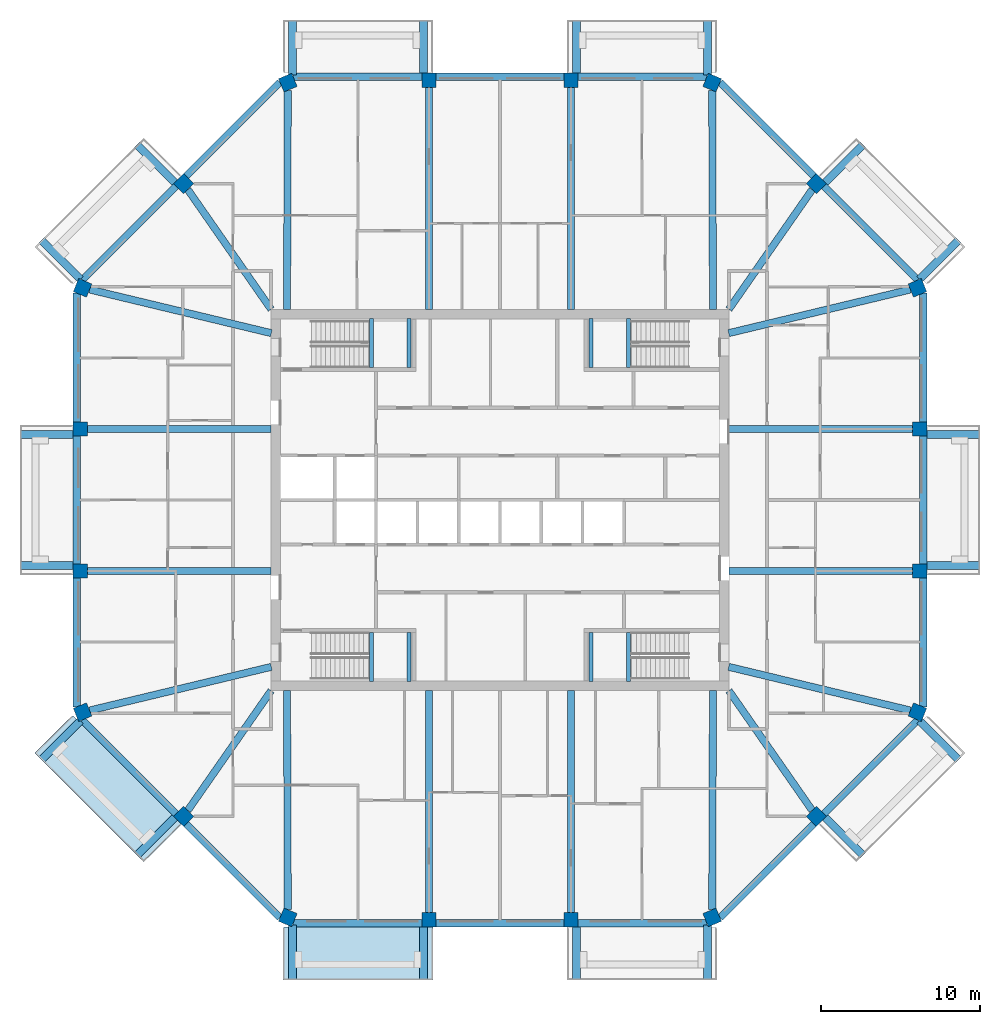
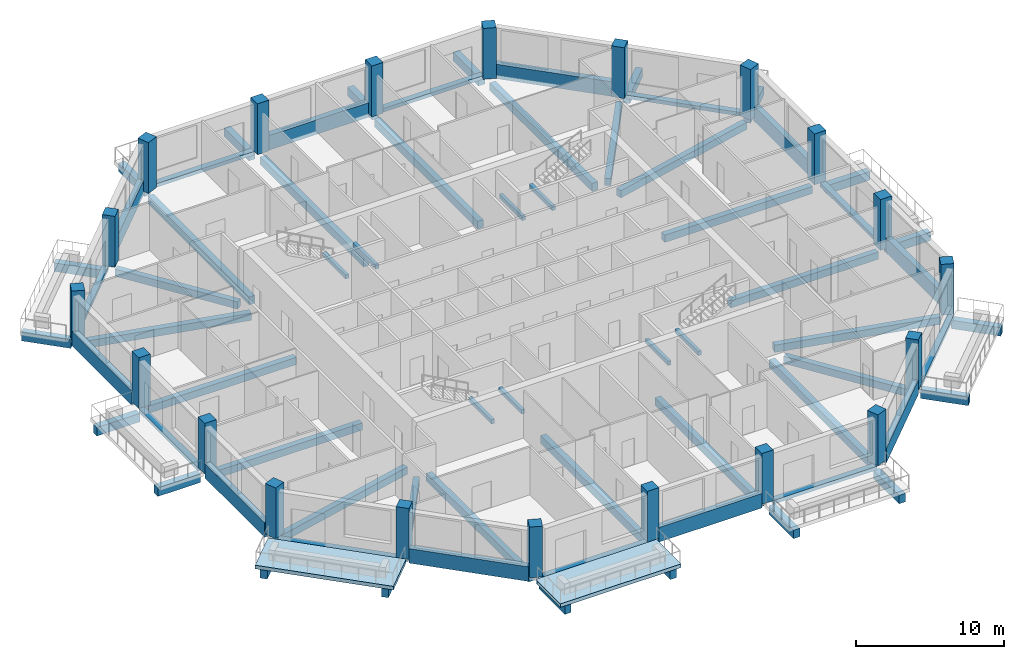
# One storey, part 1 of 12: 68 beams, 20 columns, 2 slabs.
"""IFC4 building model written with IfcOpenShell, lengths in metres."""

from ifc_helpers import new_model, si_unit, direction, frame, origin, origin_2d, place, context, subcontext, project, spatial, polyline, rectangle, outline, extrude, material, layer, layer_set, material_profile, profile_set, type_object, element, save


model = new_model("IFC4")

# Units and contexts
model_context = context("Model", 3, precision=1e-05, world=origin(), true_north=direction((0.0, 1.0)))
body_context = subcontext(model_context, "Body", "Model", "MODEL_VIEW")
ifc_project = project(units=[si_unit("LENGTHUNIT", "METRE"), si_unit("AREAUNIT", "SQUARE_METRE"), si_unit("VOLUMEUNIT", "CUBIC_METRE"), si_unit("PLANEANGLEUNIT", "RADIAN"), si_unit("MASSUNIT", "GRAM", prefix="KILO")], contexts=[model_context])

# Site, building, storey
site_placement = place(None, origin())
site = spatial("IfcSite", under=ifc_project, at=site_placement, CompositionType="ELEMENT")
building_placement = place(site_placement, origin())
building = spatial("IfcBuilding", under=site, at=building_placement, Name="Msitu Wima Residences", CompositionType="ELEMENT")
storey_placement = place(building_placement, frame((0.0, 0.0, 255.89990234375)))
storey = spatial("IfcBuildingStorey", under=building, at=storey_placement, Name="L59", CompositionType="ELEMENT", Elevation=255.89990234375)

# Columns
ifc_material_1 = material(Name="Concrete C50/60", Category="concrete")
ifc_material_profile_1 = material_profile(ifc_material_1, rectangle(XDim=0.89990234375, YDim=0.89990234375, at=origin_2d()), Name="RC 900x900")
ifc_profile_set_1 = profile_set([ifc_material_profile_1], Name="Concrete C50/60")
column_type = type_object("IfcColumnType", Name="Column RC 900x900 Concrete C50/60", PredefinedType="COLUMN", material=ifc_profile_set_1)
for number, where, z_axis, x_axis, name in (
    (1, (26.261962890625, -13.3486328125, 0.0), (0.0, 0.0, 1.0), (0.382683496864, 0.923879505795, 0.0), "Column L59 C-E0"),
    (2, (26.39990234375, -4.46875, 0.0), (0.0, 0.0, 1.0), (0.0, 1.0, 0.0), "Column L59 C-E1"),
    (3, (26.39990234375, 4.46875, 0.0), (0.0, 0.0, 1.0), (0.0, 1.0, 0.0), "Column L59 C-E2"),
    (4, (26.261962890625, 13.3486328125, 0.0), (0.0, 0.0, 1.0), (-0.382683496864, 0.923879505795, 0.0), "Column L59 C-NE0"),
    (5, (19.90283203125, 19.90283203125, 0.0), (0.0, 0.0, 1.0), (-0.707106781187, 0.707106781187, 0.0), "Column L59 C-NE1"),
    (6, (13.3486328125, 26.261962890625, 0.0), (0.0, 0.0, 1.0), (-0.923879505795, 0.382683496864, 0.0), "Column L59 C-N0"),
    (7, (4.46875, 26.39990234375, 0.0), (0.0, 0.0, 1.0), (-1.0, 0.0, 0.0), "Column L59 C-N1"),
    (8, (-4.46875, 26.39990234375, 0.0), (0.0, 0.0, 1.0), (-1.0, 0.0, 0.0), "Column L59 C-N2"),
    (9, (-13.3486328125, 26.261962890625, 0.0), (0.0, 0.0, 1.0), (-0.923879505795, -0.382683496864, 0.0), "Column L59 C-NW0"),
    (10, (-19.90283203125, 19.90283203125, 0.0), (0.0, 0.0, 1.0), (-0.707106781187, -0.707106781187, 0.0), "Column L59 C-NW1"),
    (11, (-26.261962890625, 13.3486328125, 0.0), (0.0, 0.0, 1.0), (-0.382683496864, -0.923879505795, 0.0), "Column L59 C-W0"),
    (12, (-26.39990234375, 4.46875, 0.0), (0.0, 0.0, 1.0), (0.0, -1.0, 0.0), "Column L59 C-W1"),
    (13, (-26.39990234375, -4.46875, 0.0), (0.0, 0.0, 1.0), (0.0, -1.0, 0.0), "Column L59 C-W2"),
    (14, (-26.261962890625, -13.3486328125, 0.0), (0.0, 0.0, 1.0), (0.382683496864, -0.923879505795, 0.0), "Column L59 C-SW0"),
    (15, (-19.90283203125, -19.90283203125, 0.0), (0.0, 0.0, 1.0), (0.707106781187, -0.707106781187, 0.0), "Column L59 C-SW1"),
    (16, (-13.3486328125, -26.261962890625, 0.0), (0.0, 0.0, 1.0), (0.923879505795, -0.382683496864, 0.0), "Column L59 C-S0"),
    (17, (-4.46875, -26.39990234375, 0.0), (0.0, 0.0, 1.0), (1.0, 0.0, 0.0), "Column L59 C-S1"),
    (18, (4.46875, -26.39990234375, 0.0), (0.0, 0.0, 1.0), (1.0, 0.0, 0.0), "Column L59 C-S2"),
    (19, (13.3486328125, -26.261962890625, 0.0), (0.0, 0.0, 1.0), (0.923879505795, 0.382683496864, 0.0), "Column L59 C-SE0"),
    (20, (19.90283203125, -19.90283203125, 0.0), (0.0, 0.0, 1.0), (0.707106781187, 0.707106781187, 0.0), "Column L59 C-SE1"),
):
    element("IfcColumn", number, at=place(storey_placement, frame(where, z_axis=z_axis, x_axis=x_axis)), inside=storey, type_object=column_type, Name=name, PredefinedType="COLUMN", context=body_context, shape_type="SweptSolid", body=[
        extrude(rectangle(XDim=0.89990234375, YDim=0.89990234375, at=origin_2d()), origin(), (0.0, 0.0, 1.0), 4.2001953125),
    ])

# Beams
ifc_material_profile_2 = material_profile(ifc_material_1, rectangle(XDim=0.449951171875, YDim=0.60009765625, at=origin_2d()), Name="RC 450x600")
ifc_profile_set_2 = profile_set([ifc_material_profile_2], Name="Concrete C50/60")
beam_type_1 = type_object("IfcBeamType", Name="Beam RC 450x600 Concrete C50/60", PredefinedType="BEAM", material=ifc_profile_set_2)
beam_1_placement = place(storey_placement, frame((25.819091796875, -13.242431640625, -0.5498046875), z_axis=(-0.972353359268, 0.233514335148, 0.0), x_axis=(-0.233514335148, -0.972353359268, 0.0)))
element("IfcBeam", 21, at=beam_1_placement, inside=storey, type_object=beam_type_1, Name="Beam L59 C-E0", PredefinedType="BEAM", context=body_context, shape_type="SweptSolid", body=[
    extrude(rectangle(XDim=0.449951171875, YDim=0.60009765625, at=origin_2d()), origin(), (0.0, 0.0, 1.0), 11.755615234375),
])
for number, where, z_axis, x_axis, name in (
    (22, (25.949951171875, -4.46875, -0.5498046875), (-1.0, 0.0, 0.0), (0.0, -1.0, 0.0), "Beam L59 C-E1"),
    (23, (25.949951171875, 4.46875, -0.5498046875), (-1.0, 0.0, 0.0), (0.0, -1.0, 0.0), "Beam L59 C-E2"),
):
    element("IfcBeam", number, at=place(storey_placement, frame(where, z_axis=z_axis, x_axis=x_axis)), inside=storey, type_object=beam_type_1, Name=name, PredefinedType="BEAM", context=body_context, shape_type="SweptSolid", body=[
        extrude(rectangle(XDim=0.449951171875, YDim=0.60009765625, at=origin_2d()), origin(), (0.0, 0.0, 1.0), 11.550048828125),
    ])
beam_2_placement = place(storey_placement, frame((25.819091796875, 13.242431640625, -0.5498046875), z_axis=(-0.972353359268, -0.233514335148, 0.0), x_axis=(0.233514335148, -0.972353359268, 0.0)))
element("IfcBeam", 24, at=beam_2_placement, inside=storey, type_object=beam_type_1, Name="Beam L59 C-NE0", PredefinedType="BEAM", context=body_context, shape_type="SweptSolid", body=[
    extrude(rectangle(XDim=0.449951171875, YDim=0.60009765625, at=origin_2d()), origin(), (0.0, 0.0, 1.0), 11.755615234375),
])
for number, where, z_axis, x_axis, name in (
    (25, (19.6416015625, 19.52783203125, -0.5498046875), (-0.571427822633, -0.820652328042, 0.0), (0.820652328042, -0.571427822633, 0.0), "Beam L59 C-NE1"),
    (26, (-19.6416015625, 19.52783203125, -0.5498046875), (0.571427822633, -0.820652328042, 0.0), (0.820652328042, 0.571427822633, 0.0), "Beam L59 C-NW1"),
):
    element("IfcBeam", number, at=place(storey_placement, frame(where, z_axis=z_axis, x_axis=x_axis)), inside=storey, type_object=beam_type_1, Name=name, PredefinedType="BEAM", context=body_context, shape_type="SweptSolid", body=[
        extrude(rectangle(XDim=0.449951171875, YDim=0.60009765625, at=origin_2d()), origin(), (0.0, 0.0, 1.0), 9.173095703125),
    ])
beam_3_placement = place(storey_placement, frame((-25.819091796875, 13.242431640625, -0.5498046875), z_axis=(0.972353359268, -0.233514335148, 0.0), x_axis=(0.233514335148, 0.972353359268, 0.0)))
element("IfcBeam", 27, at=beam_3_placement, inside=storey, type_object=beam_type_1, Name="Beam L59 C-W0", PredefinedType="BEAM", context=body_context, shape_type="SweptSolid", body=[
    extrude(rectangle(XDim=0.449951171875, YDim=0.60009765625, at=origin_2d()), origin(), (0.0, 0.0, 1.0), 11.755615234375),
])
for number, where, z_axis, x_axis, name in (
    (28, (-25.949951171875, 4.46875, -0.5498046875), (1.0, 0.0, 0.0), (0.0, 1.0, 0.0), "Beam L59 C-W1"),
    (29, (-25.949951171875, -4.46875, -0.5498046875), (1.0, 0.0, 0.0), (0.0, 1.0, 0.0), "Beam L59 C-W2"),
):
    element("IfcBeam", number, at=place(storey_placement, frame(where, z_axis=z_axis, x_axis=x_axis)), inside=storey, type_object=beam_type_1, Name=name, PredefinedType="BEAM", context=body_context, shape_type="SweptSolid", body=[
        extrude(rectangle(XDim=0.449951171875, YDim=0.60009765625, at=origin_2d()), origin(), (0.0, 0.0, 1.0), 11.550048828125),
    ])
beam_4_placement = place(storey_placement, frame((-25.819091796875, -13.242431640625, -0.5498046875), z_axis=(0.972353359268, 0.233514335148, 0.0), x_axis=(-0.233514335148, 0.972353359268, 0.0)))
element("IfcBeam", 30, at=beam_4_placement, inside=storey, type_object=beam_type_1, Name="Beam L59 C-SW0", PredefinedType="BEAM", context=body_context, shape_type="SweptSolid", body=[
    extrude(rectangle(XDim=0.449951171875, YDim=0.60009765625, at=origin_2d()), origin(), (0.0, 0.0, 1.0), 11.755615234375),
])
for number, where, z_axis, x_axis, name in (
    (31, (-19.6416015625, -19.52783203125, -0.5498046875), (0.571427822633, 0.820652328042, 0.0), (-0.820652328042, 0.571427822633, 0.0), "Beam L59 C-SW1"),
    (32, (19.6416015625, -19.52783203125, -0.5498046875), (-0.571427822633, 0.820652328042, 0.0), (-0.820652328042, -0.571427822633, 0.0), "Beam L59 C-SE1"),
):
    element("IfcBeam", number, at=place(storey_placement, frame(where, z_axis=z_axis, x_axis=x_axis)), inside=storey, type_object=beam_type_1, Name=name, PredefinedType="BEAM", context=body_context, shape_type="SweptSolid", body=[
        extrude(rectangle(XDim=0.449951171875, YDim=0.60009765625, at=origin_2d()), origin(), (0.0, 0.0, 1.0), 9.173095703125),
    ])
ifc_material_profile_3 = material_profile(ifc_material_1, rectangle(XDim=0.449951171875, YDim=0.64990234375, at=origin_2d()), Name="RC 450x650")
ifc_profile_set_3 = profile_set([ifc_material_profile_3], Name="Concrete C50/60")
beam_type_2 = type_object("IfcBeamType", Name="Beam RC 450x650 Concrete C50/60", PredefinedType="BEAM", material=ifc_profile_set_3)
beam_5_placement = place(storey_placement, frame((13.3505859375, 25.774169921875, -0.574951171875), z_axis=(0.003594933206, -0.999993538207, 0.0), x_axis=(0.999993538207, 0.003594933206, 0.0)))
element("IfcBeam", 33, at=beam_5_placement, inside=storey, type_object=beam_type_2, Name="Beam L59 C-N0", PredefinedType="BEAM", context=body_context, shape_type="SweptSolid", body=[
    extrude(rectangle(XDim=0.449951171875, YDim=0.64990234375, at=origin_2d()), origin(), (0.0, 0.0, 1.0), 13.7861328125),
])
for number, where, z_axis, x_axis, name in (
    (34, (4.46875, 25.949951171875, -0.574951171875), (0.0, -1.0, 0.0), (1.0, 0.0, 0.0), "Beam L59 C-N1"),
    (35, (-4.46875, 25.949951171875, -0.574951171875), (0.0, -1.0, 0.0), (1.0, 0.0, 0.0), "Beam L59 C-N2"),
):
    element("IfcBeam", number, at=place(storey_placement, frame(where, z_axis=z_axis, x_axis=x_axis)), inside=storey, type_object=beam_type_2, Name=name, PredefinedType="BEAM", context=body_context, shape_type="SweptSolid", body=[
        extrude(rectangle(XDim=0.449951171875, YDim=0.64990234375, at=origin_2d()), origin(), (0.0, 0.0, 1.0), 13.949951171875),
    ])
for number, where, z_axis, x_axis, name in (
    (36, (-13.3505859375, 25.774169921875, -0.574951171875), (-0.003594933206, -0.999993538207, 0.0), (0.999993538207, -0.003594933206, 0.0), "Beam L59 C-NW0"),
    (37, (-13.3505859375, -25.774169921875, -0.574951171875), (-0.003594933206, 0.999993538207, 0.0), (-0.999993538207, -0.003594933206, 0.0), "Beam L59 C-S0"),
):
    element("IfcBeam", number, at=place(storey_placement, frame(where, z_axis=z_axis, x_axis=x_axis)), inside=storey, type_object=beam_type_2, Name=name, PredefinedType="BEAM", context=body_context, shape_type="SweptSolid", body=[
        extrude(rectangle(XDim=0.449951171875, YDim=0.64990234375, at=origin_2d()), origin(), (0.0, 0.0, 1.0), 13.7861328125),
    ])
for number, where, z_axis, x_axis, name in (
    (38, (-4.46875, -25.949951171875, -0.574951171875), (0.0, 1.0, 0.0), (-1.0, 0.0, 0.0), "Beam L59 C-S1"),
    (39, (4.46875, -25.949951171875, -0.574951171875), (0.0, 1.0, 0.0), (-1.0, 0.0, 0.0), "Beam L59 C-S2"),
):
    element("IfcBeam", number, at=place(storey_placement, frame(where, z_axis=z_axis, x_axis=x_axis)), inside=storey, type_object=beam_type_2, Name=name, PredefinedType="BEAM", context=body_context, shape_type="SweptSolid", body=[
        extrude(rectangle(XDim=0.449951171875, YDim=0.64990234375, at=origin_2d()), origin(), (0.0, 0.0, 1.0), 13.949951171875),
    ])
beam_6_placement = place(storey_placement, frame((13.3505859375, -25.774169921875, -0.574951171875), z_axis=(0.003594933206, 0.999993538207, 0.0), x_axis=(-0.999993538207, 0.003594933206, 0.0)))
element("IfcBeam", 40, at=beam_6_placement, inside=storey, type_object=beam_type_2, Name="Beam L59 C-SE0", PredefinedType="BEAM", context=body_context, shape_type="SweptSolid", body=[
    extrude(rectangle(XDim=0.449951171875, YDim=0.64990234375, at=origin_2d()), origin(), (0.0, 0.0, 1.0), 13.7861328125),
])
ifc_material_profile_4 = material_profile(ifc_material_1, rectangle(XDim=0.5, YDim=0.699951171875, at=origin_2d()), Name="RC 500x700")
ifc_profile_set_4 = profile_set([ifc_material_profile_4], Name="Concrete C50/60")
beam_type_3 = type_object("IfcBeamType", Name="Cantilever beam RC 500x700 Concrete C50/60", PredefinedType="BEAM", material=ifc_profile_set_4)
for number, where, z_axis, x_axis, name in (
    (41, (26.85009765625, -4.11865234375, -0.64990234375), (1.0, 0.0, 0.0), (0.0, 1.0, 0.0), "Cantilever beam L59 BA-E1 A"),
    (42, (26.85009765625, 4.11865234375, -0.64990234375), (1.0, 0.0, 0.0), (0.0, 1.0, 0.0), "Cantilever beam L59 BA-E1 B"),
):
    element("IfcBeam", number, at=place(storey_placement, frame(where, z_axis=z_axis, x_axis=x_axis)), inside=storey, type_object=beam_type_3, Name=name, PredefinedType="BEAM", context=body_context, shape_type="SweptSolid", body=[
        extrude(rectangle(XDim=0.5, YDim=0.699951171875, at=origin_2d()), origin(), (0.0, 0.0, 1.0), 3.349853515625),
    ])
beam_7_placement = place(storey_placement, frame((26.386474609375, 13.887451171875, -0.64990234375), z_axis=(0.707141968506, 0.707071592116, 0.0), x_axis=(-0.707071592116, 0.707141968506, 0.0)))
element("IfcBeam", 43, at=beam_7_placement, inside=storey, type_object=beam_type_3, Name="Cantilever beam L59 BA-NE0 A", PredefinedType="BEAM", context=body_context, shape_type="SweptSolid", body=[
    extrude(rectangle(XDim=0.5, YDim=0.699951171875, at=origin_2d()), origin(), (0.0, 0.0, 1.0), 3.468994140625),
])
beam_8_placement = place(storey_placement, frame((20.46875, 19.9736328125, -0.64990234375), z_axis=(0.707070340836, 0.707143219659, 0.0), x_axis=(-0.707143219659, 0.707070340836, 0.0)))
element("IfcBeam", 44, at=beam_8_placement, inside=storey, type_object=beam_type_3, Name="Cantilever beam L59 BA-NE0 B", PredefinedType="BEAM", context=body_context, shape_type="SweptSolid", body=[
    extrude(rectangle(XDim=0.5, YDim=0.699951171875, at=origin_2d()), origin(), (0.0, 0.0, 1.0), 3.349853515625),
])
beam_9_placement = place(storey_placement, frame((13.055908203125, 26.73095703125, -0.64990234375), z_axis=(0.0, 1.0, 0.0), x_axis=(-1.0, 0.0, 0.0)))
element("IfcBeam", 45, at=beam_9_placement, inside=storey, type_object=beam_type_3, Name="Cantilever beam L59 BA-N0 A", PredefinedType="BEAM", context=body_context, shape_type="SweptSolid", body=[
    extrude(rectangle(XDim=0.5, YDim=0.699951171875, at=origin_2d()), origin(), (0.0, 0.0, 1.0), 3.468994140625),
])
for number, where, z_axis, x_axis, name in (
    (46, (4.818603515625, 26.85009765625, -0.64990234375), (0.0, 1.0, 0.0), (-1.0, 0.0, 0.0), "Cantilever beam L59 BA-N0 B"),
    (47, (-4.818603515625, 26.85009765625, -0.64990234375), (0.0, 1.0, 0.0), (-1.0, 0.0, 0.0), "Cantilever beam L59 BA-N2 A"),
):
    element("IfcBeam", number, at=place(storey_placement, frame(where, z_axis=z_axis, x_axis=x_axis)), inside=storey, type_object=beam_type_3, Name=name, PredefinedType="BEAM", context=body_context, shape_type="SweptSolid", body=[
        extrude(rectangle(XDim=0.5, YDim=0.699951171875, at=origin_2d()), origin(), (0.0, 0.0, 1.0), 3.349853515625),
    ])
beam_10_placement = place(storey_placement, frame((-13.055908203125, 26.73095703125, -0.64990234375), z_axis=(0.0, 1.0, 0.0), x_axis=(-1.0, 0.0, 0.0)))
element("IfcBeam", 48, at=beam_10_placement, inside=storey, type_object=beam_type_3, Name="Cantilever beam L59 BA-N2 B", PredefinedType="BEAM", context=body_context, shape_type="SweptSolid", body=[
    extrude(rectangle(XDim=0.5, YDim=0.699951171875, at=origin_2d()), origin(), (0.0, 0.0, 1.0), 3.468994140625),
])
beam_11_placement = place(storey_placement, frame((-20.46875, 19.9736328125, -0.64990234375), z_axis=(-0.707070340836, 0.707143219659, 0.0), x_axis=(-0.707143219659, -0.707070340836, 0.0)))
element("IfcBeam", 49, at=beam_11_placement, inside=storey, type_object=beam_type_3, Name="Cantilever beam L59 BA-NW1 A", PredefinedType="BEAM", context=body_context, shape_type="SweptSolid", body=[
    extrude(rectangle(XDim=0.5, YDim=0.699951171875, at=origin_2d()), origin(), (0.0, 0.0, 1.0), 3.349853515625),
])
beam_12_placement = place(storey_placement, frame((-26.386474609375, 13.887451171875, -0.64990234375), z_axis=(-0.707141968506, 0.707071592116, 0.0), x_axis=(-0.707071592116, -0.707141968506, 0.0)))
element("IfcBeam", 50, at=beam_12_placement, inside=storey, type_object=beam_type_3, Name="Cantilever beam L59 BA-NW1 B", PredefinedType="BEAM", context=body_context, shape_type="SweptSolid", body=[
    extrude(rectangle(XDim=0.5, YDim=0.699951171875, at=origin_2d()), origin(), (0.0, 0.0, 1.0), 3.468994140625),
])
for number, where, z_axis, x_axis, name in (
    (51, (-26.85009765625, 4.11865234375, -0.64990234375), (-1.0, 0.0, 0.0), (0.0, -1.0, 0.0), "Cantilever beam L59 BA-W1 A"),
    (52, (-26.85009765625, -4.11865234375, -0.64990234375), (-1.0, 0.0, 0.0), (0.0, -1.0, 0.0), "Cantilever beam L59 BA-W1 B"),
):
    element("IfcBeam", number, at=place(storey_placement, frame(where, z_axis=z_axis, x_axis=x_axis)), inside=storey, type_object=beam_type_3, Name=name, PredefinedType="BEAM", context=body_context, shape_type="SweptSolid", body=[
        extrude(rectangle(XDim=0.5, YDim=0.699951171875, at=origin_2d()), origin(), (0.0, 0.0, 1.0), 3.349853515625),
    ])
beam_13_placement = place(storey_placement, frame((-26.386474609375, -13.887451171875, -0.64990234375), z_axis=(-0.707141968506, -0.707071592116, 0.0), x_axis=(0.707071592116, -0.707141968506, 0.0)))
element("IfcBeam", 53, at=beam_13_placement, inside=storey, type_object=beam_type_3, Name="Cantilever beam L59 BA-SW0 A", PredefinedType="BEAM", context=body_context, shape_type="SweptSolid", body=[
    extrude(rectangle(XDim=0.5, YDim=0.699951171875, at=origin_2d()), origin(), (0.0, 0.0, 1.0), 3.468994140625),
])
beam_14_placement = place(storey_placement, frame((-20.46875, -19.9736328125, -0.64990234375), z_axis=(-0.707070340836, -0.707143219659, 0.0), x_axis=(0.707143219659, -0.707070340836, 0.0)))
element("IfcBeam", 54, at=beam_14_placement, inside=storey, type_object=beam_type_3, Name="Cantilever beam L59 BA-SW0 B", PredefinedType="BEAM", context=body_context, shape_type="SweptSolid", body=[
    extrude(rectangle(XDim=0.5, YDim=0.699951171875, at=origin_2d()), origin(), (0.0, 0.0, 1.0), 3.349853515625),
])
beam_15_placement = place(storey_placement, frame((-13.055908203125, -26.73095703125, -0.64990234375), z_axis=(0.0, -1.0, 0.0), x_axis=(1.0, 0.0, 0.0)))
element("IfcBeam", 55, at=beam_15_placement, inside=storey, type_object=beam_type_3, Name="Cantilever beam L59 BA-S0 A", PredefinedType="BEAM", context=body_context, shape_type="SweptSolid", body=[
    extrude(rectangle(XDim=0.5, YDim=0.699951171875, at=origin_2d()), origin(), (0.0, 0.0, 1.0), 3.468994140625),
])
for number, where, z_axis, x_axis, name in (
    (56, (-4.818603515625, -26.85009765625, -0.64990234375), (0.0, -1.0, 0.0), (1.0, 0.0, 0.0), "Cantilever beam L59 BA-S0 B"),
    (57, (4.818603515625, -26.85009765625, -0.64990234375), (0.0, -1.0, 0.0), (1.0, 0.0, 0.0), "Cantilever beam L59 BA-S2 A"),
):
    element("IfcBeam", number, at=place(storey_placement, frame(where, z_axis=z_axis, x_axis=x_axis)), inside=storey, type_object=beam_type_3, Name=name, PredefinedType="BEAM", context=body_context, shape_type="SweptSolid", body=[
        extrude(rectangle(XDim=0.5, YDim=0.699951171875, at=origin_2d()), origin(), (0.0, 0.0, 1.0), 3.349853515625),
    ])
beam_16_placement = place(storey_placement, frame((13.055908203125, -26.73095703125, -0.64990234375), z_axis=(0.0, -1.0, 0.0), x_axis=(1.0, 0.0, 0.0)))
element("IfcBeam", 58, at=beam_16_placement, inside=storey, type_object=beam_type_3, Name="Cantilever beam L59 BA-S2 B", PredefinedType="BEAM", context=body_context, shape_type="SweptSolid", body=[
    extrude(rectangle(XDim=0.5, YDim=0.699951171875, at=origin_2d()), origin(), (0.0, 0.0, 1.0), 3.468994140625),
])
beam_17_placement = place(storey_placement, frame((20.46875, -19.9736328125, -0.64990234375), z_axis=(0.707070340836, -0.707143219659, 0.0), x_axis=(0.707143219659, 0.707070340836, 0.0)))
element("IfcBeam", 59, at=beam_17_placement, inside=storey, type_object=beam_type_3, Name="Cantilever beam L59 BA-SE1 A", PredefinedType="BEAM", context=body_context, shape_type="SweptSolid", body=[
    extrude(rectangle(XDim=0.5, YDim=0.699951171875, at=origin_2d()), origin(), (0.0, 0.0, 1.0), 3.349853515625),
])
beam_18_placement = place(storey_placement, frame((26.386474609375, -13.887451171875, -0.64990234375), z_axis=(0.707141968506, -0.707071592116, 0.0), x_axis=(0.707071592116, 0.707141968506, 0.0)))
element("IfcBeam", 60, at=beam_18_placement, inside=storey, type_object=beam_type_3, Name="Cantilever beam L59 BA-SE1 B", PredefinedType="BEAM", context=body_context, shape_type="SweptSolid", body=[
    extrude(rectangle(XDim=0.5, YDim=0.699951171875, at=origin_2d()), origin(), (0.0, 0.0, 1.0), 3.468994140625),
])
ifc_material_profile_5 = material_profile(ifc_material_1, rectangle(XDim=0.449951171875, YDim=0.300048828125, at=origin_2d()), Name="RC 450x300")
ifc_profile_set_5 = profile_set([ifc_material_profile_5], Name="Concrete C50/60")
beam_type_4 = type_object("IfcBeamType", Name="Edge beam RC 450x300 Concrete C50/60", PredefinedType="SPANDREL", material=ifc_profile_set_5)
beam_19_placement = place(storey_placement, frame((26.625, -4.0185546875, -0.14990234375), z_axis=(0.0, 1.0, 0.0), x_axis=(-1.0, 0.0, 0.0)))
element("IfcBeam", 61, at=beam_19_placement, inside=storey, type_object=beam_type_4, Name="Spandrel L59 E1", PredefinedType="SPANDREL", context=body_context, shape_type="SweptSolid", body=[
    extrude(rectangle(XDim=0.449951171875, YDim=0.300048828125, at=origin_2d()), origin(), (0.0, 0.0, 1.0), 8.037109375),
])
beam_20_placement = place(storey_placement, frame((26.2890625, 13.8349609375, -0.14990234375), z_axis=(-0.707106781187, 0.707106781187, 0.0), x_axis=(-0.707106781187, -0.707106781187, 0.0)))
element("IfcBeam", 62, at=beam_20_placement, inside=storey, type_object=beam_type_4, Name="Spandrel L59 NE0", PredefinedType="SPANDREL", context=body_context, shape_type="SweptSolid", body=[
    extrude(rectangle(XDim=0.449951171875, YDim=0.300048828125, at=origin_2d()), origin(), (0.0, 0.0, 1.0), 8.3564453125),
])
for number, where, z_axis, x_axis, name in (
    (63, (13.02392578125, 26.625, -0.14990234375), (-1.0, 0.0, 0.0), (0.0, -1.0, 0.0), "Spandrel L59 N0"),
    (64, (-4.918701171875, 26.625, -0.14990234375), (-1.0, 0.0, 0.0), (0.0, -1.0, 0.0), "Spandrel L59 N2"),
):
    element("IfcBeam", number, at=place(storey_placement, frame(where, z_axis=z_axis, x_axis=x_axis)), inside=storey, type_object=beam_type_4, Name=name, PredefinedType="SPANDREL", context=body_context, shape_type="SweptSolid", body=[
        extrude(rectangle(XDim=0.449951171875, YDim=0.300048828125, at=origin_2d()), origin(), (0.0, 0.0, 1.0), 8.105224609375),
    ])
beam_21_placement = place(storey_placement, frame((-20.380126953125, 19.743896484375, -0.14990234375), z_axis=(-0.707106781187, -0.707106781187, 0.0), x_axis=(0.707106781187, -0.707106781187, 0.0)))
element("IfcBeam", 65, at=beam_21_placement, inside=storey, type_object=beam_type_4, Name="Spandrel L59 NW1", PredefinedType="SPANDREL", context=body_context, shape_type="SweptSolid", body=[
    extrude(rectangle(XDim=0.449951171875, YDim=0.300048828125, at=origin_2d()), origin(), (0.0, 0.0, 1.0), 8.3564453125),
])
beam_22_placement = place(storey_placement, frame((-26.625, 4.0185546875, -0.14990234375), z_axis=(0.0, -1.0, 0.0), x_axis=(1.0, 0.0, 0.0)))
element("IfcBeam", 66, at=beam_22_placement, inside=storey, type_object=beam_type_4, Name="Spandrel L59 W1", PredefinedType="SPANDREL", context=body_context, shape_type="SweptSolid", body=[
    extrude(rectangle(XDim=0.449951171875, YDim=0.300048828125, at=origin_2d()), origin(), (0.0, 0.0, 1.0), 8.037109375),
])
beam_23_placement = place(storey_placement, frame((-26.2890625, -13.8349609375, -0.14990234375), z_axis=(0.707106781187, -0.707106781187, 0.0), x_axis=(0.707106781187, 0.707106781187, 0.0)))
element("IfcBeam", 67, at=beam_23_placement, inside=storey, type_object=beam_type_4, Name="Spandrel L59 SW0", PredefinedType="SPANDREL", context=body_context, shape_type="SweptSolid", body=[
    extrude(rectangle(XDim=0.449951171875, YDim=0.300048828125, at=origin_2d()), origin(), (0.0, 0.0, 1.0), 8.3564453125),
])
for number, where, z_axis, x_axis, name in (
    (68, (-13.02392578125, -26.625, -0.14990234375), (1.0, 0.0, 0.0), (0.0, 1.0, 0.0), "Spandrel L59 S0"),
    (69, (4.918701171875, -26.625, -0.14990234375), (1.0, 0.0, 0.0), (0.0, 1.0, 0.0), "Spandrel L59 S2"),
):
    element("IfcBeam", number, at=place(storey_placement, frame(where, z_axis=z_axis, x_axis=x_axis)), inside=storey, type_object=beam_type_4, Name=name, PredefinedType="SPANDREL", context=body_context, shape_type="SweptSolid", body=[
        extrude(rectangle(XDim=0.449951171875, YDim=0.300048828125, at=origin_2d()), origin(), (0.0, 0.0, 1.0), 8.105224609375),
    ])
beam_24_placement = place(storey_placement, frame((20.380126953125, -19.743896484375, -0.14990234375), z_axis=(0.707106781187, 0.707106781187, 0.0), x_axis=(-0.707106781187, 0.707106781187, 0.0)))
element("IfcBeam", 70, at=beam_24_placement, inside=storey, type_object=beam_type_4, Name="Spandrel L59 SE1", PredefinedType="SPANDREL", context=body_context, shape_type="SweptSolid", body=[
    extrude(rectangle(XDim=0.449951171875, YDim=0.300048828125, at=origin_2d()), origin(), (0.0, 0.0, 1.0), 8.3564453125),
])
ifc_material_2 = material(Name="Concrete C40/50", Category="concrete")
ifc_material_profile_6 = material_profile(ifc_material_2, rectangle(XDim=0.25, YDim=0.35009765625, at=origin_2d()), Name="RC 250x350")
ifc_profile_set_6 = profile_set([ifc_material_profile_6], Name="Concrete C40/50")
beam_type_5 = type_object("IfcBeamType", Name="Landing beam RC 250x350", PredefinedType="BEAM", material=ifc_profile_set_6)
for number, where, z_axis, x_axis, name in (
    (71, (-8.074951171875, 8.324951171875, 1.72509765625), (0.0, 1.0, 0.0), (-1.0, 0.0, 0.0), "Stair 1 landing beam"),
    (72, (-5.72509765625, 8.324951171875, 1.72509765625), (0.0, 1.0, 0.0), (-1.0, 0.0, 0.0), "Stair 1 landing beam"),
    (73, (-8.074951171875, -11.425048828125, 1.72509765625), (0.0, 1.0, 0.0), (-1.0, 0.0, 0.0), "Stair 2 landing beam"),
    (74, (-5.72509765625, -11.425048828125, 1.72509765625), (0.0, 1.0, 0.0), (-1.0, 0.0, 0.0), "Stair 2 landing beam"),
    (75, (8.074951171875, 8.324951171875, 1.72509765625), (0.0, 1.0, 0.0), (-1.0, 0.0, 0.0), "Stair 3 landing beam"),
    (76, (5.72509765625, 8.324951171875, 1.72509765625), (0.0, 1.0, 0.0), (-1.0, 0.0, 0.0), "Stair 3 landing beam"),
    (77, (8.074951171875, -11.425048828125, 1.72509765625), (0.0, 1.0, 0.0), (-1.0, 0.0, 0.0), "Stair 4 landing beam"),
    (78, (5.72509765625, -11.425048828125, 1.72509765625), (0.0, 1.0, 0.0), (-1.0, 0.0, 0.0), "Stair 4 landing beam"),
):
    element("IfcBeam", number, at=place(storey_placement, frame(where, z_axis=z_axis, x_axis=x_axis)), inside=storey, type_object=beam_type_5, Name=name, PredefinedType="BEAM", context=body_context, shape_type="SweptSolid", body=[
        extrude(rectangle(XDim=0.25, YDim=0.35009765625, at=origin_2d()), origin(), (0.0, 0.0, 1.0), 3.10009765625),
    ])
ifc_material_profile_7 = material_profile(ifc_material_1, rectangle(XDim=0.449951171875, YDim=1.199951171875, at=origin_2d()), Name="RC 450x1200")
ifc_profile_set_7 = profile_set([ifc_material_profile_7], Name="Concrete C50/60")
beam_type_6 = type_object("IfcBeamType", Name="Spandrel RC 450x1200 Concrete C50/60", PredefinedType="SPANDREL", material=ifc_profile_set_7)
for number, where, z_axis, x_axis, name in (
    (79, (26.625, -13.02392578125, 0.300048828125), (0.0, 1.0, 0.0), (-1.0, 0.0, 0.0), "Spandrel L59 E0"),
    (80, (26.625, 4.918701171875, 0.300048828125), (0.0, 1.0, 0.0), (-1.0, 0.0, 0.0), "Spandrel L59 E2"),
):
    element("IfcBeam", number, at=place(storey_placement, frame(where, z_axis=z_axis, x_axis=x_axis)), inside=storey, type_object=beam_type_6, Name=name, PredefinedType="SPANDREL", context=body_context, shape_type="SweptSolid", body=[
        extrude(rectangle(XDim=0.449951171875, YDim=1.199951171875, at=origin_2d()), origin(), (0.0, 0.0, 1.0), 8.105224609375),
    ])
beam_25_placement = place(storey_placement, frame((19.743896484375, 20.380126953125, 0.300048828125), z_axis=(-0.707106781187, 0.707106781187, 0.0), x_axis=(-0.707106781187, -0.707106781187, 0.0)))
element("IfcBeam", 81, at=beam_25_placement, inside=storey, type_object=beam_type_6, Name="Spandrel L59 NE1", PredefinedType="SPANDREL", context=body_context, shape_type="SweptSolid", body=[
    extrude(rectangle(XDim=0.449951171875, YDim=1.199951171875, at=origin_2d()), origin(), (0.0, 0.0, 1.0), 8.3564453125),
])
beam_26_placement = place(storey_placement, frame((4.0185546875, 26.625, 0.300048828125), z_axis=(-1.0, 0.0, 0.0), x_axis=(0.0, -1.0, 0.0)))
element("IfcBeam", 82, at=beam_26_placement, inside=storey, type_object=beam_type_6, Name="Spandrel L59 N1", PredefinedType="SPANDREL", context=body_context, shape_type="SweptSolid", body=[
    extrude(rectangle(XDim=0.449951171875, YDim=1.199951171875, at=origin_2d()), origin(), (0.0, 0.0, 1.0), 8.037109375),
])
beam_27_placement = place(storey_placement, frame((-13.8349609375, 26.2890625, 0.300048828125), z_axis=(-0.707106781187, -0.707106781187, 0.0), x_axis=(0.707106781187, -0.707106781187, 0.0)))
element("IfcBeam", 83, at=beam_27_placement, inside=storey, type_object=beam_type_6, Name="Spandrel L59 NW0", PredefinedType="SPANDREL", context=body_context, shape_type="SweptSolid", body=[
    extrude(rectangle(XDim=0.449951171875, YDim=1.199951171875, at=origin_2d()), origin(), (0.0, 0.0, 1.0), 8.3564453125),
])
for number, where, z_axis, x_axis, name in (
    (84, (-26.625, 13.02392578125, 0.300048828125), (0.0, -1.0, 0.0), (1.0, 0.0, 0.0), "Spandrel L59 W0"),
    (85, (-26.625, -4.918701171875, 0.300048828125), (0.0, -1.0, 0.0), (1.0, 0.0, 0.0), "Spandrel L59 W2"),
):
    element("IfcBeam", number, at=place(storey_placement, frame(where, z_axis=z_axis, x_axis=x_axis)), inside=storey, type_object=beam_type_6, Name=name, PredefinedType="SPANDREL", context=body_context, shape_type="SweptSolid", body=[
        extrude(rectangle(XDim=0.449951171875, YDim=1.199951171875, at=origin_2d()), origin(), (0.0, 0.0, 1.0), 8.105224609375),
    ])
beam_28_placement = place(storey_placement, frame((-19.743896484375, -20.380126953125, 0.300048828125), z_axis=(0.707106781187, -0.707106781187, 0.0), x_axis=(0.707106781187, 0.707106781187, 0.0)))
element("IfcBeam", 86, at=beam_28_placement, inside=storey, type_object=beam_type_6, Name="Spandrel L59 SW1", PredefinedType="SPANDREL", context=body_context, shape_type="SweptSolid", body=[
    extrude(rectangle(XDim=0.449951171875, YDim=1.199951171875, at=origin_2d()), origin(), (0.0, 0.0, 1.0), 8.3564453125),
])
beam_29_placement = place(storey_placement, frame((-4.0185546875, -26.625, 0.300048828125), z_axis=(1.0, 0.0, 0.0), x_axis=(0.0, 1.0, 0.0)))
element("IfcBeam", 87, at=beam_29_placement, inside=storey, type_object=beam_type_6, Name="Spandrel L59 S1", PredefinedType="SPANDREL", context=body_context, shape_type="SweptSolid", body=[
    extrude(rectangle(XDim=0.449951171875, YDim=1.199951171875, at=origin_2d()), origin(), (0.0, 0.0, 1.0), 8.037109375),
])
beam_30_placement = place(storey_placement, frame((13.8349609375, -26.2890625, 0.300048828125), z_axis=(0.707106781187, 0.707106781187, 0.0), x_axis=(-0.707106781187, 0.707106781187, 0.0)))
element("IfcBeam", 88, at=beam_30_placement, inside=storey, type_object=beam_type_6, Name="Spandrel L59 SE0", PredefinedType="SPANDREL", context=body_context, shape_type="SweptSolid", body=[
    extrude(rectangle(XDim=0.449951171875, YDim=1.199951171875, at=origin_2d()), origin(), (0.0, 0.0, 1.0), 8.3564453125),
])

# Slabs
ifc_layer = layer(ifc_material_2, 0.300048828125)
ifc_layer_set = layer_set([ifc_layer], Name="Concrete C40/50")
slab_type = type_object("IfcSlabType", Name="Balcony slab BS300", PredefinedType="FLOOR", material=ifc_layer_set)
slab_1_placement = place(storey_placement, frame((0.0, 0.0, -0.2998046875)))
element("IfcSlab", 89, at=slab_1_placement, inside=storey, type_object=slab_type, Name="Balcony SW0 L59", PredefinedType="FLOOR", context=body_context, shape_type="SweptSolid", body=[
    extrude(outline(polyline([(-26.505615234375, -13.936767578125), (-26.505615234375, -13.936767578125), (-20.04443359375, -20.39794921875), (-22.4130859375, -22.766845703125), (-29.263671875, -15.916015625), (-27.003662109375, -13.656005859375), (-26.85009765625, -13.59228515625), (-26.505615234375, -13.936767578125), (-26.505615234375, -13.936767578125)])), origin(), (0.0, 0.0, 1.0), 0.2998046875),
])
slab_2_placement = place(storey_placement, frame((0.0, 0.0, -0.2998046875)))
element("IfcSlab", 90, at=slab_2_placement, inside=storey, type_object=slab_type, Name="Balcony S0 L59", PredefinedType="FLOOR", context=body_context, shape_type="SweptSolid", body=[
    extrude(outline(polyline([(-13.105224609375, -26.85009765625), (-13.105224609375, -26.85009765625), (-4.918701171875, -26.85009765625), (-4.21875, -26.85009765625), (-4.21875, -30.199951171875), (-13.656005859375, -30.199951171875), (-13.656005859375, -27.003662109375), (-13.59228515625, -26.85009765625), (-13.105224609375, -26.85009765625), (-13.105224609375, -26.85009765625)])), origin(), (0.0, 0.0, 1.0), 0.2998046875),
])

save(model, "model.ifc")
